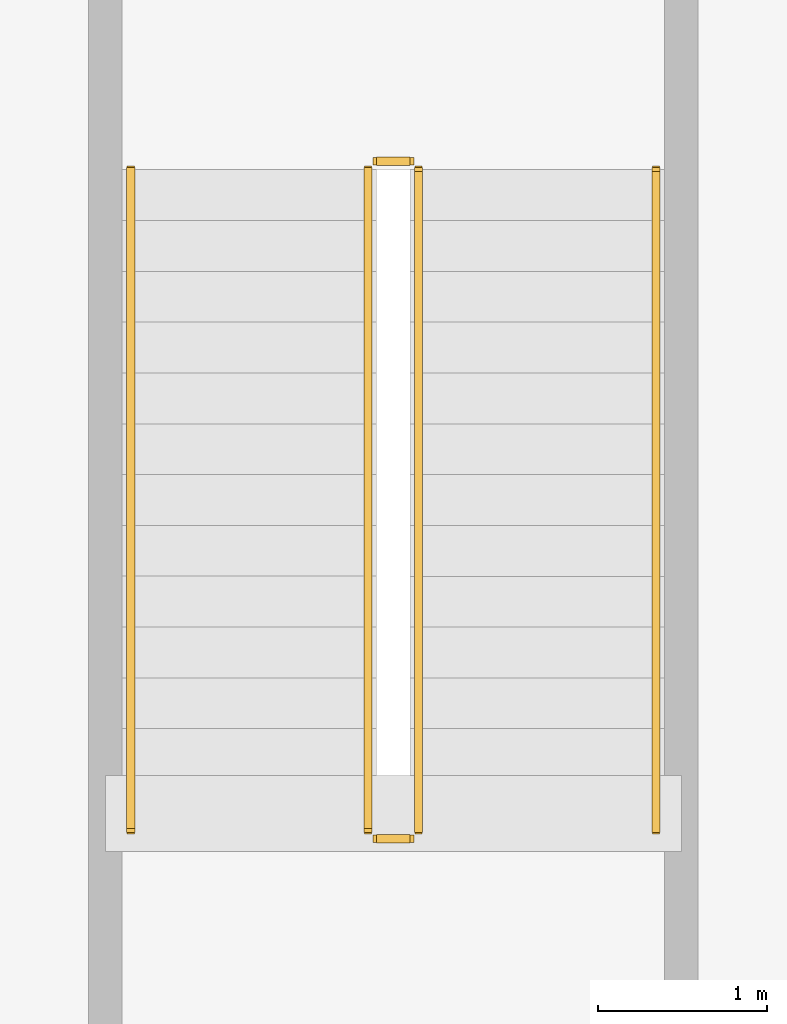
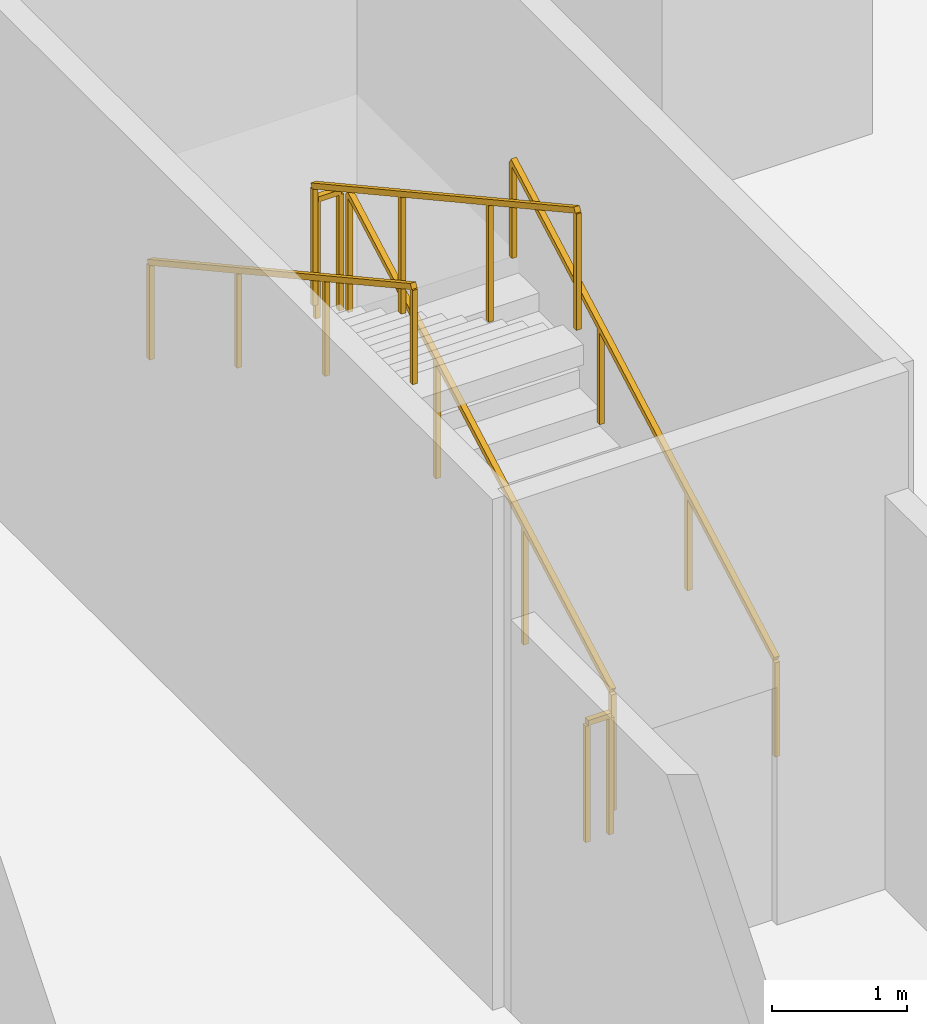
# One storey, part 11 of 13: 6 railings.
"""IFC4 building model written with IfcOpenShell, lengths in metres."""

from ifc_helpers import new_model, si_unit, direction, frame, origin, place, context, subcontext, project, spatial, rectangle, extrude, material, type_object, element, save


model = new_model("IFC4")

# Units and contexts
model_context = context("Model", 3, precision=1e-05, world=origin(), true_north=direction((0.0, 1.0)))
body_context = subcontext(model_context, "Body", "Model", "MODEL_VIEW")
ifc_project = project(units=[si_unit("LENGTHUNIT", "METRE"), si_unit("AREAUNIT", "SQUARE_METRE"), si_unit("VOLUMEUNIT", "CUBIC_METRE"), si_unit("PLANEANGLEUNIT", "RADIAN"), si_unit("MASSUNIT", "GRAM", prefix="KILO")], contexts=[model_context])

# Site, building, storey
site_placement = place(None, origin())
site = spatial("IfcSite", under=ifc_project, at=site_placement, CompositionType="ELEMENT")
building_placement = place(site_placement, origin())
building = spatial("IfcBuilding", under=site, at=building_placement, Name="Tanjung Sevakor Pilgrim Tower", CompositionType="ELEMENT")
storey_placement = place(building_placement, frame((0.0, 0.0, -4.6201171875)))
storey = spatial("IfcBuildingStorey", under=building, at=storey_placement, Name="B01", CompositionType="ELEMENT", Elevation=-4.6201171875)

# Railings
ifc_material_1 = material(Name="Steel S355J2", Category="steel")
railing_type_1 = type_object("IfcRailingType", Name="RL-STAIR-GUARD", PredefinedType="GUARDRAIL", material=ifc_material_1)
railing_1_placement = place(storey_placement, frame((6.75, 52.89990234375, 0.1650390625)))
element("IfcRailing", 1, at=railing_1_placement, inside=storey, type_object=railing_type_1, Name="B01 BS-2 stair guard 1", PredefinedType="GUARDRAIL", context=body_context, shape_type="SweptSolid", body=[
    extrude(rectangle(XDim=0.0479, YDim=0.0479), frame((0.0, 0.0, 1.076171875), z_axis=(0.0, 0.876221698874, 0.481908221991), x_axis=(-1.0, 0.0, 0.0)), (0.0, 0.0, 1.0), 4.451171875),
    extrude(rectangle(XDim=0.042, YDim=0.042), origin(), (0.0, 0.0, 1.0), 1.052001953125),
    extrude(rectangle(XDim=0.042, YDim=0.042), frame((0.0, 1.300048828125, 0.715087890625)), (0.0, 0.0, 1.0), 1.052001953125),
    extrude(rectangle(XDim=0.042, YDim=0.042), frame((0.0, 2.60009765625, 1.429931640625)), (0.0, 0.0, 1.0), 1.052001953125),
    extrude(rectangle(XDim=0.042, YDim=0.042), frame((0.0, 3.900146484375, 2.14501953125)), (0.0, 0.0, 1.0), 1.052001953125),
])
railing_2_placement = place(storey_placement, frame((6.699951171875, 56.85009765625, 2.31005859375)))
element("IfcRailing", 2, at=railing_2_placement, inside=storey, type_object=railing_type_1, Name="B01 BS-2 stair guard 2", PredefinedType="GUARDRAIL", context=body_context, shape_type="SweptSolid", body=[
    extrude(rectangle(XDim=0.0479, YDim=0.0479), frame((0.0, 0.0, 1.076171875), z_axis=(-1.0, 0.0, 0.0), x_axis=(0.0, -1.0, 0.0)), (0.0, 0.0, 1.0), 0.199951171875),
    extrude(rectangle(XDim=0.042, YDim=0.042), origin(), (0.0, 0.0, 1.0), 1.052001953125),
    extrude(rectangle(XDim=0.042, YDim=0.042), frame((-0.199951171875, 0.0, 0.0)), (0.0, 0.0, 1.0), 1.052001953125),
])
railing_3_placement = place(storey_placement, frame((6.449951171875, 56.800048828125, 2.47509765625)))
element("IfcRailing", 3, at=railing_3_placement, inside=storey, type_object=railing_type_1, Name="B01 BS-2 stair guard 3", PredefinedType="GUARDRAIL", context=body_context, shape_type="SweptSolid", body=[
    extrude(rectangle(XDim=0.0479, YDim=0.0479), frame((0.0, 0.0, 1.076171875), z_axis=(0.0, -0.876221698874, 0.481908221991), x_axis=(1.0, 0.0, 0.0)), (0.0, 0.0, 1.0), 4.451171875),
    extrude(rectangle(XDim=0.042, YDim=0.042), origin(), (0.0, 0.0, 1.0), 1.052001953125),
    extrude(rectangle(XDim=0.042, YDim=0.042), frame((0.0, -1.300048828125, 0.715087890625)), (0.0, 0.0, 1.0), 1.052001953125),
    extrude(rectangle(XDim=0.042, YDim=0.042), frame((0.0, -2.60009765625, 1.429931640625)), (0.0, 0.0, 1.0), 1.052001953125),
    extrude(rectangle(XDim=0.042, YDim=0.042), frame((0.0, -3.900146484375, 2.14501953125)), (0.0, 0.0, 1.0), 1.052001953125),
])
railing_4_placement = place(storey_placement, frame((6.699951171875, 52.85009765625, 0.0)))
element("IfcRailing", 4, at=railing_4_placement, inside=storey, type_object=railing_type_1, Name="B01 BS-2 stair guard 4", PredefinedType="GUARDRAIL", context=body_context, shape_type="SweptSolid", body=[
    extrude(rectangle(XDim=0.0479, YDim=0.0479), frame((0.0, 0.0, 1.076171875), z_axis=(-1.0, 0.0, 0.0), x_axis=(0.0, -1.0, 0.0)), (0.0, 0.0, 1.0), 0.199951171875),
    extrude(rectangle(XDim=0.042, YDim=0.042), origin(), (0.0, 0.0, 1.0), 1.052001953125),
    extrude(rectangle(XDim=0.042, YDim=0.042), frame((-0.199951171875, 0.0, 0.0)), (0.0, 0.0, 1.0), 1.052001953125),
])
ifc_material_2 = material(Name="Steel S355J2", Category="steel")
railing_type_2 = type_object("IfcRailingType", Name="RL-STAIR-HAND", PredefinedType="HANDRAIL", material=ifc_material_2)
railing_5_placement = place(storey_placement, frame((8.14990234375, 52.89990234375, 0.1650390625)))
element("IfcRailing", 5, at=railing_5_placement, inside=storey, type_object=railing_type_2, Name="B01 BS-2 stair handrail 1", PredefinedType="HANDRAIL", context=body_context, shape_type="SweptSolid", body=[
    extrude(rectangle(XDim=0.0479, YDim=0.0479), frame((0.0, 0.0, 0.8759765625), z_axis=(0.0, 0.876221698874, 0.481908221991), x_axis=(-1.0, 0.0, 0.0)), (0.0, 0.0, 1.0), 4.451171875),
    extrude(rectangle(XDim=0.042, YDim=0.042), origin(), (0.0, 0.0, 1.0), 0.851806640625),
    extrude(rectangle(XDim=0.042, YDim=0.042), frame((0.0, 1.300048828125, 0.715087890625)), (0.0, 0.0, 1.0), 0.851806640625),
    extrude(rectangle(XDim=0.042, YDim=0.042), frame((0.0, 2.60009765625, 1.429931640625)), (0.0, 0.0, 1.0), 0.851806640625),
    extrude(rectangle(XDim=0.042, YDim=0.042), frame((0.0, 3.900146484375, 2.14501953125)), (0.0, 0.0, 1.0), 0.851806640625),
])
railing_6_placement = place(storey_placement, frame((5.050048828125, 56.800048828125, 2.47509765625)))
element("IfcRailing", 6, at=railing_6_placement, inside=storey, type_object=railing_type_2, Name="B01 BS-2 stair handrail 2", PredefinedType="HANDRAIL", context=body_context, shape_type="SweptSolid", body=[
    extrude(rectangle(XDim=0.0479, YDim=0.0479), frame((0.0, 0.0, 0.8759765625), z_axis=(0.0, -0.876221698874, 0.481908221991), x_axis=(1.0, 0.0, 0.0)), (0.0, 0.0, 1.0), 4.451171875),
    extrude(rectangle(XDim=0.042, YDim=0.042), origin(), (0.0, 0.0, 1.0), 0.851806640625),
    extrude(rectangle(XDim=0.042, YDim=0.042), frame((0.0, -1.300048828125, 0.715087890625)), (0.0, 0.0, 1.0), 0.851806640625),
    extrude(rectangle(XDim=0.042, YDim=0.042), frame((0.0, -2.60009765625, 1.429931640625)), (0.0, 0.0, 1.0), 0.851806640625),
    extrude(rectangle(XDim=0.042, YDim=0.042), frame((0.0, -3.900146484375, 2.14501953125)), (0.0, 0.0, 1.0), 0.851806640625),
])

save(model, "model.ifc")
